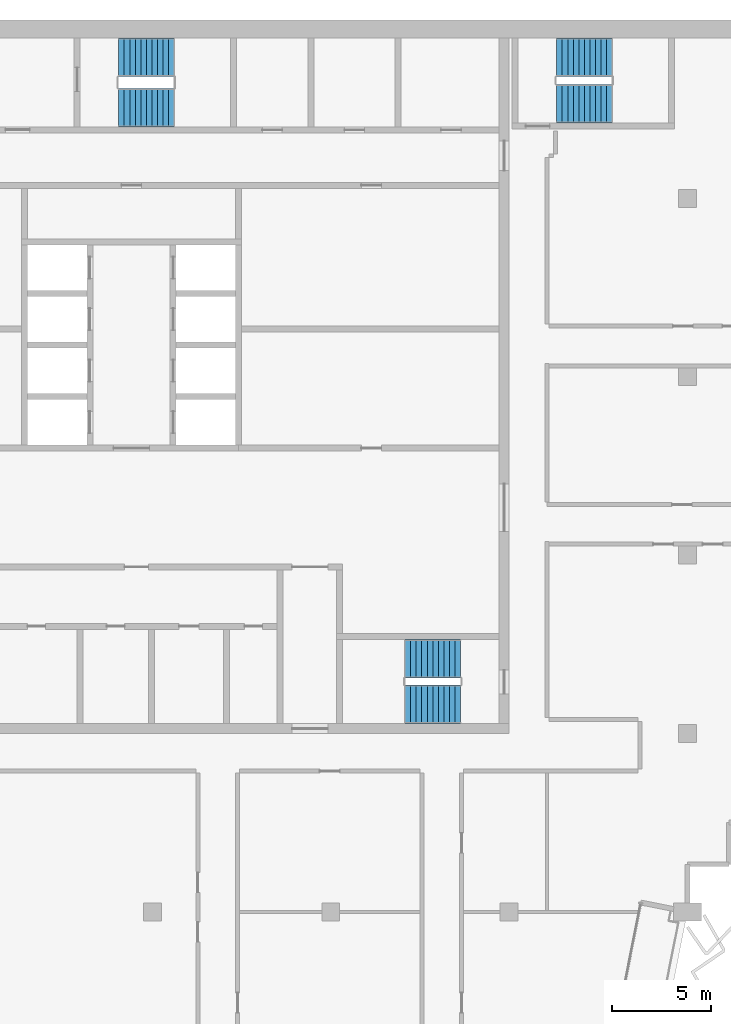
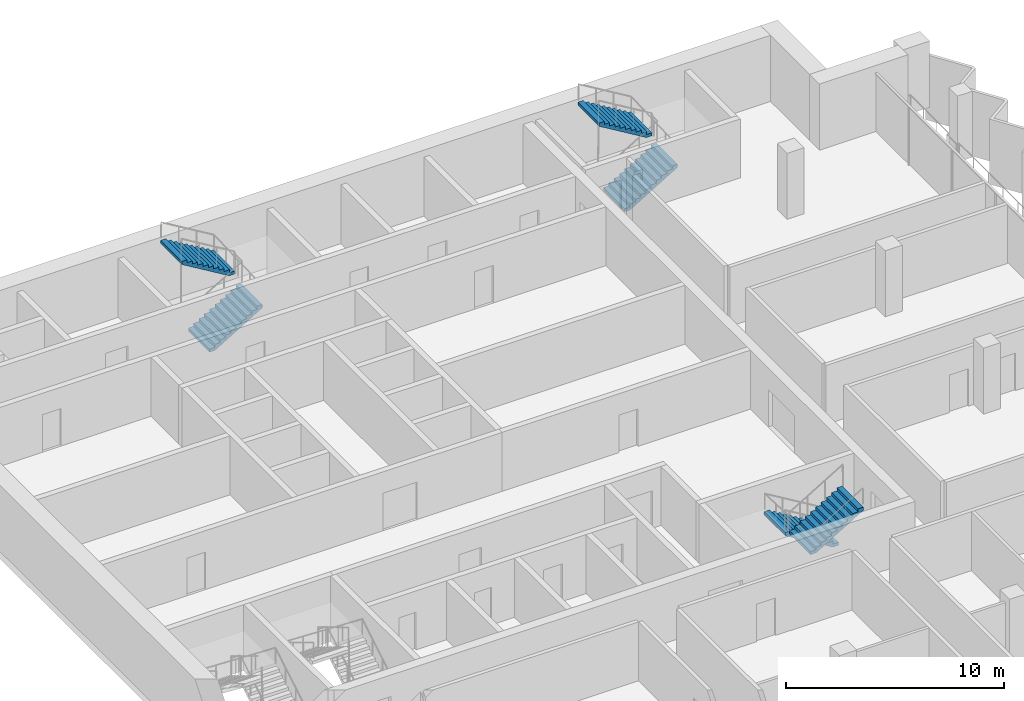
# One storey, part 10 of 13: 6 stair flights, 3 elements without a shape of their own.
"""IFC4 building model written with IfcOpenShell, lengths in metres."""

import ifcopenshell
import ifcopenshell.guid

model = None  # the IFC model being written
_history = None  # IfcOwnerHistory: only IFC2X3 demands one
_inside = {}  # id of a spatial element -> (the spatial element, [elements in it])
_under = {}  # id of a project, library or spatial element -> (it, [spatial elements below it])
_declared = {}  # id of a project -> (the project, [libraries it declares])
_typed = {}  # id of a type object -> (the type object, [elements of that type])
_made_of = {}  # id of a material, layer set ... -> (it, [elements and type objects made of it])


def new_model(schema):
    """Start an empty IFC model of exactly this schema.

    Asked for "IFC4X3", IfcOpenShell would pick the latest addendum, in which some entities
    have other attributes; the version numbers below select the first issue.
    IFC2X3 requires an IfcOwnerHistory on every rooted entity: one is made here for all.
    """
    global model, _history
    if schema == "IFC4X3":
        model = ifcopenshell.file(schema_version=(4, 3, 0, 0))
    else:
        model = ifcopenshell.file(schema=schema)
    _inside.clear()
    _under.clear()
    _declared.clear()
    _typed.clear()
    _made_of.clear()
    _history = None
    if model.schema == "IFC2X3":
        org = make("IfcOrganization", Name="unknown")
        user = make(
            "IfcPersonAndOrganization",
            ThePerson=make("IfcPerson", FamilyName="unknown"),
            TheOrganization=org,
        )
        app = make(
            "IfcApplication",
            ApplicationDeveloper=org,
            Version="unknown",
            ApplicationFullName="unknown",
            ApplicationIdentifier="unknown",
        )
        _history = make(
            "IfcOwnerHistory",
            OwningUser=user,
            OwningApplication=app,
            ChangeAction="ADDED",
            CreationDate=0,
        )
    return model


def make(cls, **values):
    """One entity of the class cls with the attributes given. An attribute that is None is left unset."""
    return model.create_entity(
        cls, **{name: value for name, value in values.items() if value is not None}
    )


def rooted(cls, **values):
    """An entity with a GlobalId (a new one), such as an element, a storey or a relation."""
    return make(cls, GlobalId=ifcopenshell.guid.new(), OwnerHistory=_history, **values)


def si_unit(unit_type, name, prefix=None):
    """IfcSIUnit, for example si_unit("LENGTHUNIT", "METRE", prefix="MILLI")."""
    return make("IfcSIUnit", UnitType=unit_type, Prefix=prefix, Name=name)


def assignment(units):
    """IfcUnitAssignment: the units of a project."""
    return None if units is None else make("IfcUnitAssignment", Units=units)


def point(xyz):
    """IfcCartesianPoint."""
    return None if xyz is None else make("IfcCartesianPoint", Coordinates=xyz)


def direction(xyz):
    """IfcDirection."""
    return None if xyz is None else make("IfcDirection", DirectionRatios=xyz)


def frame(location, z_axis=None, x_axis=None):
    """IfcAxis2Placement3D, a coordinate frame: its origin and axes. An axis left out is left unset."""
    return make(
        "IfcAxis2Placement3D",
        Location=point(location),
        Axis=direction(z_axis),
        RefDirection=direction(x_axis),
    )


def origin():
    """The frame at (0, 0, 0) with its axes left unset."""
    return frame((0.0, 0.0, 0.0))


def place(relative_to, where):
    """IfcLocalPlacement: puts the frame where relative to a parent placement (None: the world)."""
    return make(
        "IfcLocalPlacement", PlacementRelTo=relative_to, RelativePlacement=where
    )


def context(
    kind, dimensions, precision=None, world=None, true_north=None, identifier=None
):
    """IfcGeometricRepresentationContext, for example the 3D "Model" context."""
    return make(
        "IfcGeometricRepresentationContext",
        ContextIdentifier=identifier,
        ContextType=kind,
        CoordinateSpaceDimension=dimensions,
        Precision=precision,
        WorldCoordinateSystem=world,
        TrueNorth=true_north,
    )


def subcontext(parent, identifier, kind, view, scale=None):
    """IfcGeometricRepresentationSubContext, for example "Body" below "Model"."""
    return make(
        "IfcGeometricRepresentationSubContext",
        ContextIdentifier=identifier,
        ContextType=kind,
        ParentContext=parent,
        TargetScale=scale,
        TargetView=view,
    )


def project(units=None, contexts=None):
    """IfcProject with its units and contexts."""
    return rooted(
        "IfcProject",
        Name="project",
        RepresentationContexts=contexts,
        UnitsInContext=assignment(units),
    )


def spatial(cls, under=None, at=None, **own):
    """A site, building, storey or space (cls), placed at a placement, below another one or the project."""
    s = rooted(cls, ObjectPlacement=at, **own)
    if under is not None:
        _under.setdefault(under.id(), (under, []))[1].append(s)
    return s


def polyline(points):
    """IfcPolyline through the points."""
    return make("IfcPolyline", Points=[point(p) for p in points])


def outline(outer, holes=None, kind="AREA"):
    """IfcArbitraryClosedProfileDef: a profile drawn as a closed curve; with holes, ...WithVoids."""
    if holes is None:
        return make("IfcArbitraryClosedProfileDef", ProfileType=kind, OuterCurve=outer)
    return make(
        "IfcArbitraryProfileDefWithVoids",
        ProfileType=kind,
        OuterCurve=outer,
        InnerCurves=holes,
    )


def extrude(swept, where, along, depth):
    """IfcExtrudedAreaSolid: the profile swept, set in the frame where, extruded along a direction by depth."""
    return make(
        "IfcExtrudedAreaSolid",
        SweptArea=swept,
        Position=where,
        ExtrudedDirection=direction(along),
        Depth=depth,
    )


def shape(context_of_items, identifier, shape_type, items):
    """IfcShapeRepresentation: the items that make up one representation, for example the "Body"."""
    return make(
        "IfcShapeRepresentation",
        ContextOfItems=context_of_items,
        RepresentationIdentifier=identifier,
        RepresentationType=shape_type,
        Items=items,
    )


def material(Name=None, Category=None):
    """IfcMaterial."""
    return make("IfcMaterial", Name=Name, Category=Category)


def made_of(thing, what):
    """Note that an element or type object is made of a material, layer set ...; save() writes the relation."""
    if what is not None:
        _made_of.setdefault(what.id(), (what, []))[1].append(thing)
    return thing


def type_object(cls, material=None, **own):
    """A type object (cls), such as IfcWallType, which elements share."""
    return made_of(rooted(cls, **own), material)


def element(
    cls,
    number,
    at=None,
    inside=None,
    cuts=None,
    type_object=None,
    material=None,
    context=None,
    identifier="Body",
    shape_type=None,
    held_by="IfcProductDefinitionShape",
    body=None,
    shapes=None,
    **own,
):
    """One element of the class cls, such as IfcWall. Its Tag is "e" and its number.

    at: its placement. inside: the storey or other place that contains it. cuts: it is an
    opening in that element (IfcRelVoidsElement). A single representation is given by context,
    identifier, shape_type and body (its items); several are given by shapes. held_by: the class
    of the entity that holds the representations. save() writes the other relations.
    """
    e = rooted(cls, Tag="e%d" % number, ObjectPlacement=at, **own)
    if body is not None:
        shapes = [shape(context, identifier, shape_type, body)]
    if shapes is not None:
        e.Representation = make(held_by, Representations=shapes)
    if inside is not None:
        _inside.setdefault(inside.id(), (inside, []))[1].append(e)
    if cuts is not None:
        rooted(
            "IfcRelVoidsElement", RelatingBuildingElement=cuts, RelatedOpeningElement=e
        )
    if type_object is not None:
        _typed.setdefault(type_object.id(), (type_object, []))[1].append(e)
    return made_of(e, material)


def aggregate(whole, parts):
    """IfcRelAggregates: a whole, such as a stair, and the parts it consists of."""
    return rooted("IfcRelAggregates", RelatingObject=whole, RelatedObjects=parts)


def save(model, path):
    """Write the relations noted so far, then the file.

    IfcRelAggregates (storeys below a building ...), IfcRelContainedInSpatialStructure (elements
    in a storey), IfcRelDefinesByType, IfcRelAssociatesMaterial and IfcRelDeclares: one each for
    every whole, place, type object, material and project.
    """
    for whole, parts in _under.values():
        aggregate(whole, parts)
    for where, things in _inside.values():
        rooted(
            "IfcRelContainedInSpatialStructure",
            RelatedElements=things,
            RelatingStructure=where,
        )
    for kind, things in _typed.values():
        rooted("IfcRelDefinesByType", RelatedObjects=things, RelatingType=kind)
    for what, things in _made_of.values():
        rooted("IfcRelAssociatesMaterial", RelatedObjects=things, RelatingMaterial=what)
    for by, libraries in _declared.values():
        rooted("IfcRelDeclares", RelatingContext=by, RelatedDefinitions=libraries)
    model.write(path)


model = new_model("IFC4")

# Units and contexts
model_context = context("Model", 3, precision=1e-05, world=origin(), true_north=direction((0.0, 1.0)))
body_context = subcontext(model_context, "Body", "Model", "MODEL_VIEW")
ifc_project = project(units=[si_unit("LENGTHUNIT", "METRE"), si_unit("AREAUNIT", "SQUARE_METRE"), si_unit("VOLUMEUNIT", "CUBIC_METRE"), si_unit("PLANEANGLEUNIT", "RADIAN"), si_unit("MASSUNIT", "GRAM", prefix="KILO")], contexts=[model_context])

# Site, building, storey
site_placement = place(None, origin())
site = spatial("IfcSite", under=ifc_project, at=site_placement, CompositionType="ELEMENT")
building_placement = place(site_placement, origin())
building = spatial("IfcBuilding", under=site, at=building_placement, Name="Hunhe Ridgeline Campus", CompositionType="ELEMENT")
storey_placement = place(building_placement, frame((0.0, 0.0, 280.800048828125)))
storey = spatial("IfcBuildingStorey", under=building, at=storey_placement, Name="L72", CompositionType="ELEMENT", Elevation=280.800048828125)

# Stair, stair flights
ifc_material = material(Name="Concrete C40", Category="concrete")
stair_type = type_object("IfcStairType", Name="Reinforced concrete dog-leg stair 1950 Concrete C40", PredefinedType="HALF_TURN_STAIR", material=ifc_material)
stair_1_placement = place(storey_placement, origin())
stair_1 = element("IfcStair", 1, at=stair_1_placement, inside=storey, type_object=stair_type, Name="L72 S1", PredefinedType="HALF_TURN_STAIR")
stair_flight_type = type_object("IfcStairFlightType", Name="Reinforced concrete stair flight 1950 Concrete C40", PredefinedType="STRAIGHT", material=ifc_material)
stair_flight_1_placement = place(storey_placement, frame((16.300048828125, 94.574951171875, 0.0), z_axis=(0.0, 0.0, 1.0), x_axis=(1.0, 0.0, 0.0)))
stair_flight_1 = element("IfcStairFlight", 2, at=stair_flight_1_placement, type_object=stair_flight_type, Name="ST1 flight 1", NumberOfRisers=11, NumberOfTreads=10, PredefinedType="STRAIGHT", RiserHeight=0.168181818, TreadLength=0.28, context=body_context, shape_type="SweptSolid", body=[
    extrude(outline(polyline([(0.0, 0.0), (0.0, 0.168212890625), (0.280029296875, 0.168212890625), (0.280029296875, 0.33642578125), (0.56005859375, 0.33642578125), (0.56005859375, 0.504638671875), (0.840087890625, 0.504638671875), (0.840087890625, 0.672607421875), (1.1201171875, 0.672607421875), (1.1201171875, 0.8408203125), (1.39990234375, 0.8408203125), (1.39990234375, 1.009033203125), (1.679931640625, 1.009033203125), (1.679931640625, 1.17724609375), (1.9599609375, 1.17724609375), (1.9599609375, 1.345458984375), (2.239990234375, 1.345458984375), (2.239990234375, 1.513671875), (2.52001953125, 1.513671875), (2.52001953125, 1.681884765625), (2.800048828125, 1.681884765625), (2.800048828125, 1.85009765625), (2.800048828125, 1.5068359375), (0.291015625, 0.0), (0.0, 0.0)])), frame((0.0, 0.97509765625, 0.0), z_axis=(0.0, -1.0, 0.0), x_axis=(1.0, 0.0, 0.0)), (0.0, 0.0, 1.0), 1.949951171875),
    extrude(outline(polyline([(0.030029296875, 0.030029296875), (0.030029296875, 0.13818359375), (0.31005859375, 0.13818359375), (0.31005859375, 0.306396484375), (0.590087890625, 0.306396484375), (0.590087890625, 0.474609375), (0.8701171875, 0.474609375), (0.8701171875, 0.642578125), (1.14990234375, 0.642578125), (1.14990234375, 0.810791015625), (1.429931640625, 0.810791015625), (1.429931640625, 0.97900390625), (1.7099609375, 0.97900390625), (1.7099609375, 1.147216796875), (1.989990234375, 1.147216796875), (1.989990234375, 1.3154296875), (2.27001953125, 1.3154296875), (2.27001953125, 1.483642578125), (2.550048828125, 1.483642578125), (2.550048828125, 1.65185546875), (2.77001953125, 1.65185546875), (2.77001953125, 1.52392578125), (0.28271484375, 0.030029296875), (0.030029296875, 0.030029296875)])), frame((0.0, -0.070068359375, 0.0), z_axis=(0.0, -1.0, 0.0), x_axis=(1.0, 0.0, 0.0)), (0.0, 0.0, 1.0), 0.019775390625),
    extrude(outline(polyline([(0.030029296875, 0.030029296875), (0.030029296875, 0.13818359375), (0.31005859375, 0.13818359375), (0.31005859375, 0.306396484375), (0.590087890625, 0.306396484375), (0.590087890625, 0.474609375), (0.8701171875, 0.474609375), (0.8701171875, 0.642578125), (1.14990234375, 0.642578125), (1.14990234375, 0.810791015625), (1.429931640625, 0.810791015625), (1.429931640625, 0.97900390625), (1.7099609375, 0.97900390625), (1.7099609375, 1.147216796875), (1.989990234375, 1.147216796875), (1.989990234375, 1.3154296875), (2.27001953125, 1.3154296875), (2.27001953125, 1.483642578125), (2.550048828125, 1.483642578125), (2.550048828125, 1.65185546875), (2.77001953125, 1.65185546875), (2.77001953125, 1.52392578125), (0.28271484375, 0.030029296875), (0.030029296875, 0.030029296875)])), frame((0.0, 0.010009765625, 0.0), z_axis=(0.0, -1.0, 0.0), x_axis=(1.0, 0.0, 0.0)), (0.0, 0.0, 1.0), 0.019775390625),
    extrude(outline(polyline([(0.030029296875, 0.030029296875), (0.030029296875, 0.13818359375), (0.31005859375, 0.13818359375), (0.31005859375, 0.306396484375), (0.590087890625, 0.306396484375), (0.590087890625, 0.474609375), (0.8701171875, 0.474609375), (0.8701171875, 0.642578125), (1.14990234375, 0.642578125), (1.14990234375, 0.810791015625), (1.429931640625, 0.810791015625), (1.429931640625, 0.97900390625), (1.7099609375, 0.97900390625), (1.7099609375, 1.147216796875), (1.989990234375, 1.147216796875), (1.989990234375, 1.3154296875), (2.27001953125, 1.3154296875), (2.27001953125, 1.483642578125), (2.550048828125, 1.483642578125), (2.550048828125, 1.65185546875), (2.77001953125, 1.65185546875), (2.77001953125, 1.52392578125), (0.28271484375, 0.030029296875), (0.030029296875, 0.030029296875)])), frame((0.0, 0.090087890625, 0.0), z_axis=(0.0, -1.0, 0.0), x_axis=(1.0, 0.0, 0.0)), (0.0, 0.0, 1.0), 0.019775390625),
])
stair_flight_2_placement = place(storey_placement, frame((19.10009765625, 97.125, 1.849853515625), z_axis=(0.0, 0.0, 1.0), x_axis=(-1.0, 0.0, 0.0)))
stair_flight_2 = element("IfcStairFlight", 3, at=stair_flight_2_placement, type_object=stair_flight_type, Name="ST1 flight 2", NumberOfRisers=11, NumberOfTreads=10, PredefinedType="STRAIGHT", RiserHeight=0.168181818, TreadLength=0.28, context=body_context, shape_type="SweptSolid", body=[
    extrude(outline(polyline([(0.0, 0.0), (0.0, 0.168212890625), (0.280029296875, 0.168212890625), (0.280029296875, 0.33642578125), (0.56005859375, 0.33642578125), (0.56005859375, 0.504638671875), (0.840087890625, 0.504638671875), (0.840087890625, 0.672607421875), (1.1201171875, 0.672607421875), (1.1201171875, 0.8408203125), (1.39990234375, 0.8408203125), (1.39990234375, 1.009033203125), (1.679931640625, 1.009033203125), (1.679931640625, 1.17724609375), (1.9599609375, 1.17724609375), (1.9599609375, 1.345458984375), (2.239990234375, 1.345458984375), (2.239990234375, 1.513671875), (2.52001953125, 1.513671875), (2.52001953125, 1.681884765625), (2.800048828125, 1.681884765625), (2.800048828125, 1.85009765625), (2.800048828125, 1.5068359375), (0.291015625, 0.0), (0.0, 0.0)])), frame((0.0, 0.97509765625, 0.0), z_axis=(0.0, -1.0, 0.0), x_axis=(1.0, 0.0, 0.0)), (0.0, 0.0, 1.0), 1.949951171875),
    extrude(outline(polyline([(0.030029296875, 0.030029296875), (0.030029296875, 0.13818359375), (0.31005859375, 0.13818359375), (0.31005859375, 0.306396484375), (0.590087890625, 0.306396484375), (0.590087890625, 0.474609375), (0.8701171875, 0.474609375), (0.8701171875, 0.642578125), (1.14990234375, 0.642578125), (1.14990234375, 0.810791015625), (1.429931640625, 0.810791015625), (1.429931640625, 0.97900390625), (1.7099609375, 0.97900390625), (1.7099609375, 1.147216796875), (1.989990234375, 1.147216796875), (1.989990234375, 1.3154296875), (2.27001953125, 1.3154296875), (2.27001953125, 1.483642578125), (2.550048828125, 1.483642578125), (2.550048828125, 1.65185546875), (2.77001953125, 1.65185546875), (2.77001953125, 1.52392578125), (0.28271484375, 0.030029296875), (0.030029296875, 0.030029296875)])), frame((0.0, -0.070068359375, 0.0), z_axis=(0.0, -1.0, 0.0), x_axis=(1.0, 0.0, 0.0)), (0.0, 0.0, 1.0), 0.019775390625),
    extrude(outline(polyline([(0.030029296875, 0.030029296875), (0.030029296875, 0.13818359375), (0.31005859375, 0.13818359375), (0.31005859375, 0.306396484375), (0.590087890625, 0.306396484375), (0.590087890625, 0.474609375), (0.8701171875, 0.474609375), (0.8701171875, 0.642578125), (1.14990234375, 0.642578125), (1.14990234375, 0.810791015625), (1.429931640625, 0.810791015625), (1.429931640625, 0.97900390625), (1.7099609375, 0.97900390625), (1.7099609375, 1.147216796875), (1.989990234375, 1.147216796875), (1.989990234375, 1.3154296875), (2.27001953125, 1.3154296875), (2.27001953125, 1.483642578125), (2.550048828125, 1.483642578125), (2.550048828125, 1.65185546875), (2.77001953125, 1.65185546875), (2.77001953125, 1.52392578125), (0.28271484375, 0.030029296875), (0.030029296875, 0.030029296875)])), frame((0.0, 0.010009765625, 0.0), z_axis=(0.0, -1.0, 0.0), x_axis=(1.0, 0.0, 0.0)), (0.0, 0.0, 1.0), 0.019775390625),
    extrude(outline(polyline([(0.030029296875, 0.030029296875), (0.030029296875, 0.13818359375), (0.31005859375, 0.13818359375), (0.31005859375, 0.306396484375), (0.590087890625, 0.306396484375), (0.590087890625, 0.474609375), (0.8701171875, 0.474609375), (0.8701171875, 0.642578125), (1.14990234375, 0.642578125), (1.14990234375, 0.810791015625), (1.429931640625, 0.810791015625), (1.429931640625, 0.97900390625), (1.7099609375, 0.97900390625), (1.7099609375, 1.147216796875), (1.989990234375, 1.147216796875), (1.989990234375, 1.3154296875), (2.27001953125, 1.3154296875), (2.27001953125, 1.483642578125), (2.550048828125, 1.483642578125), (2.550048828125, 1.65185546875), (2.77001953125, 1.65185546875), (2.77001953125, 1.52392578125), (0.28271484375, 0.030029296875), (0.030029296875, 0.030029296875)])), frame((0.0, 0.090087890625, 0.0), z_axis=(0.0, -1.0, 0.0), x_axis=(1.0, 0.0, 0.0)), (0.0, 0.0, 1.0), 0.019775390625),
])
aggregate(stair_1, [stair_flight_1, stair_flight_2])

stair_2_placement = place(storey_placement, origin())
stair_2 = element("IfcStair", 4, at=stair_2_placement, inside=storey, type_object=stair_type, Name="L72 S2", PredefinedType="HALF_TURN_STAIR")
stair_flight_3_placement = place(storey_placement, frame((33.550048828125, 66.77490234375, 0.0), z_axis=(0.0, 0.0, 1.0), x_axis=(-1.0, 0.0, 0.0)))
stair_flight_3 = element("IfcStairFlight", 5, at=stair_flight_3_placement, type_object=stair_flight_type, Name="ST2 flight 1", NumberOfRisers=11, NumberOfTreads=10, PredefinedType="STRAIGHT", RiserHeight=0.168181818, TreadLength=0.28, context=body_context, shape_type="SweptSolid", body=[
    extrude(outline(polyline([(0.0, 0.0), (0.0, 0.168212890625), (0.280029296875, 0.168212890625), (0.280029296875, 0.33642578125), (0.56005859375, 0.33642578125), (0.56005859375, 0.504638671875), (0.840087890625, 0.504638671875), (0.840087890625, 0.672607421875), (1.1201171875, 0.672607421875), (1.1201171875, 0.8408203125), (1.39990234375, 0.8408203125), (1.39990234375, 1.009033203125), (1.679931640625, 1.009033203125), (1.679931640625, 1.17724609375), (1.9599609375, 1.17724609375), (1.9599609375, 1.345458984375), (2.239990234375, 1.345458984375), (2.239990234375, 1.513671875), (2.52001953125, 1.513671875), (2.52001953125, 1.681884765625), (2.800048828125, 1.681884765625), (2.800048828125, 1.85009765625), (2.800048828125, 1.5068359375), (0.291015625, 0.0), (0.0, 0.0)])), frame((0.0, 0.97509765625, 0.0), z_axis=(0.0, -1.0, 0.0), x_axis=(1.0, 0.0, 0.0)), (0.0, 0.0, 1.0), 1.949951171875),
    extrude(outline(polyline([(0.030029296875, 0.030029296875), (0.030029296875, 0.13818359375), (0.31005859375, 0.13818359375), (0.31005859375, 0.306396484375), (0.590087890625, 0.306396484375), (0.590087890625, 0.474609375), (0.8701171875, 0.474609375), (0.8701171875, 0.642578125), (1.14990234375, 0.642578125), (1.14990234375, 0.810791015625), (1.429931640625, 0.810791015625), (1.429931640625, 0.97900390625), (1.7099609375, 0.97900390625), (1.7099609375, 1.147216796875), (1.989990234375, 1.147216796875), (1.989990234375, 1.3154296875), (2.27001953125, 1.3154296875), (2.27001953125, 1.483642578125), (2.550048828125, 1.483642578125), (2.550048828125, 1.65185546875), (2.77001953125, 1.65185546875), (2.77001953125, 1.52392578125), (0.28271484375, 0.030029296875), (0.030029296875, 0.030029296875)])), frame((0.0, -0.070068359375, 0.0), z_axis=(0.0, -1.0, 0.0), x_axis=(1.0, 0.0, 0.0)), (0.0, 0.0, 1.0), 0.019775390625),
    extrude(outline(polyline([(0.030029296875, 0.030029296875), (0.030029296875, 0.13818359375), (0.31005859375, 0.13818359375), (0.31005859375, 0.306396484375), (0.590087890625, 0.306396484375), (0.590087890625, 0.474609375), (0.8701171875, 0.474609375), (0.8701171875, 0.642578125), (1.14990234375, 0.642578125), (1.14990234375, 0.810791015625), (1.429931640625, 0.810791015625), (1.429931640625, 0.97900390625), (1.7099609375, 0.97900390625), (1.7099609375, 1.147216796875), (1.989990234375, 1.147216796875), (1.989990234375, 1.3154296875), (2.27001953125, 1.3154296875), (2.27001953125, 1.483642578125), (2.550048828125, 1.483642578125), (2.550048828125, 1.65185546875), (2.77001953125, 1.65185546875), (2.77001953125, 1.52392578125), (0.28271484375, 0.030029296875), (0.030029296875, 0.030029296875)])), frame((0.0, 0.010009765625, 0.0), z_axis=(0.0, -1.0, 0.0), x_axis=(1.0, 0.0, 0.0)), (0.0, 0.0, 1.0), 0.019775390625),
    extrude(outline(polyline([(0.030029296875, 0.030029296875), (0.030029296875, 0.13818359375), (0.31005859375, 0.13818359375), (0.31005859375, 0.306396484375), (0.590087890625, 0.306396484375), (0.590087890625, 0.474609375), (0.8701171875, 0.474609375), (0.8701171875, 0.642578125), (1.14990234375, 0.642578125), (1.14990234375, 0.810791015625), (1.429931640625, 0.810791015625), (1.429931640625, 0.97900390625), (1.7099609375, 0.97900390625), (1.7099609375, 1.147216796875), (1.989990234375, 1.147216796875), (1.989990234375, 1.3154296875), (2.27001953125, 1.3154296875), (2.27001953125, 1.483642578125), (2.550048828125, 1.483642578125), (2.550048828125, 1.65185546875), (2.77001953125, 1.65185546875), (2.77001953125, 1.52392578125), (0.28271484375, 0.030029296875), (0.030029296875, 0.030029296875)])), frame((0.0, 0.090087890625, 0.0), z_axis=(0.0, -1.0, 0.0), x_axis=(1.0, 0.0, 0.0)), (0.0, 0.0, 1.0), 0.019775390625),
])
stair_flight_4_placement = place(storey_placement, frame((30.75, 64.47509765625, 1.849853515625), z_axis=(0.0, 0.0, 1.0), x_axis=(1.0, 0.0, 0.0)))
stair_flight_4 = element("IfcStairFlight", 6, at=stair_flight_4_placement, type_object=stair_flight_type, Name="ST2 flight 2", NumberOfRisers=11, NumberOfTreads=10, PredefinedType="STRAIGHT", RiserHeight=0.168181818, TreadLength=0.28, context=body_context, shape_type="SweptSolid", body=[
    extrude(outline(polyline([(0.0, 0.0), (0.0, 0.168212890625), (0.280029296875, 0.168212890625), (0.280029296875, 0.33642578125), (0.56005859375, 0.33642578125), (0.56005859375, 0.504638671875), (0.840087890625, 0.504638671875), (0.840087890625, 0.672607421875), (1.1201171875, 0.672607421875), (1.1201171875, 0.8408203125), (1.39990234375, 0.8408203125), (1.39990234375, 1.009033203125), (1.679931640625, 1.009033203125), (1.679931640625, 1.17724609375), (1.9599609375, 1.17724609375), (1.9599609375, 1.345458984375), (2.239990234375, 1.345458984375), (2.239990234375, 1.513671875), (2.52001953125, 1.513671875), (2.52001953125, 1.681884765625), (2.800048828125, 1.681884765625), (2.800048828125, 1.85009765625), (2.800048828125, 1.5068359375), (0.291015625, 0.0), (0.0, 0.0)])), frame((0.0, 0.97509765625, 0.0), z_axis=(0.0, -1.0, 0.0), x_axis=(1.0, 0.0, 0.0)), (0.0, 0.0, 1.0), 1.949951171875),
    extrude(outline(polyline([(0.030029296875, 0.030029296875), (0.030029296875, 0.13818359375), (0.31005859375, 0.13818359375), (0.31005859375, 0.306396484375), (0.590087890625, 0.306396484375), (0.590087890625, 0.474609375), (0.8701171875, 0.474609375), (0.8701171875, 0.642578125), (1.14990234375, 0.642578125), (1.14990234375, 0.810791015625), (1.429931640625, 0.810791015625), (1.429931640625, 0.97900390625), (1.7099609375, 0.97900390625), (1.7099609375, 1.147216796875), (1.989990234375, 1.147216796875), (1.989990234375, 1.3154296875), (2.27001953125, 1.3154296875), (2.27001953125, 1.483642578125), (2.550048828125, 1.483642578125), (2.550048828125, 1.65185546875), (2.77001953125, 1.65185546875), (2.77001953125, 1.52392578125), (0.28271484375, 0.030029296875), (0.030029296875, 0.030029296875)])), frame((0.0, -0.070068359375, 0.0), z_axis=(0.0, -1.0, 0.0), x_axis=(1.0, 0.0, 0.0)), (0.0, 0.0, 1.0), 0.019775390625),
    extrude(outline(polyline([(0.030029296875, 0.030029296875), (0.030029296875, 0.13818359375), (0.31005859375, 0.13818359375), (0.31005859375, 0.306396484375), (0.590087890625, 0.306396484375), (0.590087890625, 0.474609375), (0.8701171875, 0.474609375), (0.8701171875, 0.642578125), (1.14990234375, 0.642578125), (1.14990234375, 0.810791015625), (1.429931640625, 0.810791015625), (1.429931640625, 0.97900390625), (1.7099609375, 0.97900390625), (1.7099609375, 1.147216796875), (1.989990234375, 1.147216796875), (1.989990234375, 1.3154296875), (2.27001953125, 1.3154296875), (2.27001953125, 1.483642578125), (2.550048828125, 1.483642578125), (2.550048828125, 1.65185546875), (2.77001953125, 1.65185546875), (2.77001953125, 1.52392578125), (0.28271484375, 0.030029296875), (0.030029296875, 0.030029296875)])), frame((0.0, 0.010009765625, 0.0), z_axis=(0.0, -1.0, 0.0), x_axis=(1.0, 0.0, 0.0)), (0.0, 0.0, 1.0), 0.019775390625),
    extrude(outline(polyline([(0.030029296875, 0.030029296875), (0.030029296875, 0.13818359375), (0.31005859375, 0.13818359375), (0.31005859375, 0.306396484375), (0.590087890625, 0.306396484375), (0.590087890625, 0.474609375), (0.8701171875, 0.474609375), (0.8701171875, 0.642578125), (1.14990234375, 0.642578125), (1.14990234375, 0.810791015625), (1.429931640625, 0.810791015625), (1.429931640625, 0.97900390625), (1.7099609375, 0.97900390625), (1.7099609375, 1.147216796875), (1.989990234375, 1.147216796875), (1.989990234375, 1.3154296875), (2.27001953125, 1.3154296875), (2.27001953125, 1.483642578125), (2.550048828125, 1.483642578125), (2.550048828125, 1.65185546875), (2.77001953125, 1.65185546875), (2.77001953125, 1.52392578125), (0.28271484375, 0.030029296875), (0.030029296875, 0.030029296875)])), frame((0.0, 0.090087890625, 0.0), z_axis=(0.0, -1.0, 0.0), x_axis=(1.0, 0.0, 0.0)), (0.0, 0.0, 1.0), 0.019775390625),
])
aggregate(stair_2, [stair_flight_3, stair_flight_4])

stair_3_placement = place(storey_placement, origin())
stair_3 = element("IfcStair", 7, at=stair_3_placement, inside=storey, type_object=stair_type, Name="L72 E1", PredefinedType="HALF_TURN_STAIR")
stair_flight_5_placement = place(storey_placement, frame((38.39990234375, 94.77490234375, 0.0), z_axis=(0.0, 0.0, 1.0), x_axis=(1.0, 0.0, 0.0)))
stair_flight_5 = element("IfcStairFlight", 8, at=stair_flight_5_placement, type_object=stair_flight_type, Name="ST5 flight 1", NumberOfRisers=11, NumberOfTreads=10, PredefinedType="STRAIGHT", RiserHeight=0.168181818, TreadLength=0.28, context=body_context, shape_type="SweptSolid", body=[
    extrude(outline(polyline([(0.0, 0.0), (0.0, 0.168212890625), (0.280029296875, 0.168212890625), (0.280029296875, 0.33642578125), (0.56005859375, 0.33642578125), (0.56005859375, 0.504638671875), (0.840087890625, 0.504638671875), (0.840087890625, 0.672607421875), (1.1201171875, 0.672607421875), (1.1201171875, 0.8408203125), (1.39990234375, 0.8408203125), (1.39990234375, 1.009033203125), (1.679931640625, 1.009033203125), (1.679931640625, 1.17724609375), (1.9599609375, 1.17724609375), (1.9599609375, 1.345458984375), (2.239990234375, 1.345458984375), (2.239990234375, 1.513671875), (2.52001953125, 1.513671875), (2.52001953125, 1.681884765625), (2.800048828125, 1.681884765625), (2.800048828125, 1.85009765625), (2.800048828125, 1.5068359375), (0.291015625, 0.0), (0.0, 0.0)])), frame((0.0, 0.97509765625, 0.0), z_axis=(0.0, -1.0, 0.0), x_axis=(1.0, 0.0, 0.0)), (0.0, 0.0, 1.0), 1.949951171875),
    extrude(outline(polyline([(0.030029296875, 0.030029296875), (0.030029296875, 0.13818359375), (0.31005859375, 0.13818359375), (0.31005859375, 0.306396484375), (0.590087890625, 0.306396484375), (0.590087890625, 0.474609375), (0.8701171875, 0.474609375), (0.8701171875, 0.642578125), (1.14990234375, 0.642578125), (1.14990234375, 0.810791015625), (1.429931640625, 0.810791015625), (1.429931640625, 0.97900390625), (1.7099609375, 0.97900390625), (1.7099609375, 1.147216796875), (1.989990234375, 1.147216796875), (1.989990234375, 1.3154296875), (2.27001953125, 1.3154296875), (2.27001953125, 1.483642578125), (2.550048828125, 1.483642578125), (2.550048828125, 1.65185546875), (2.77001953125, 1.65185546875), (2.77001953125, 1.52392578125), (0.28271484375, 0.030029296875), (0.030029296875, 0.030029296875)])), frame((0.0, -0.070068359375, 0.0), z_axis=(0.0, -1.0, 0.0), x_axis=(1.0, 0.0, 0.0)), (0.0, 0.0, 1.0), 0.019775390625),
    extrude(outline(polyline([(0.030029296875, 0.030029296875), (0.030029296875, 0.13818359375), (0.31005859375, 0.13818359375), (0.31005859375, 0.306396484375), (0.590087890625, 0.306396484375), (0.590087890625, 0.474609375), (0.8701171875, 0.474609375), (0.8701171875, 0.642578125), (1.14990234375, 0.642578125), (1.14990234375, 0.810791015625), (1.429931640625, 0.810791015625), (1.429931640625, 0.97900390625), (1.7099609375, 0.97900390625), (1.7099609375, 1.147216796875), (1.989990234375, 1.147216796875), (1.989990234375, 1.3154296875), (2.27001953125, 1.3154296875), (2.27001953125, 1.483642578125), (2.550048828125, 1.483642578125), (2.550048828125, 1.65185546875), (2.77001953125, 1.65185546875), (2.77001953125, 1.52392578125), (0.28271484375, 0.030029296875), (0.030029296875, 0.030029296875)])), frame((0.0, 0.010009765625, 0.0), z_axis=(0.0, -1.0, 0.0), x_axis=(1.0, 0.0, 0.0)), (0.0, 0.0, 1.0), 0.019775390625),
    extrude(outline(polyline([(0.030029296875, 0.030029296875), (0.030029296875, 0.13818359375), (0.31005859375, 0.13818359375), (0.31005859375, 0.306396484375), (0.590087890625, 0.306396484375), (0.590087890625, 0.474609375), (0.8701171875, 0.474609375), (0.8701171875, 0.642578125), (1.14990234375, 0.642578125), (1.14990234375, 0.810791015625), (1.429931640625, 0.810791015625), (1.429931640625, 0.97900390625), (1.7099609375, 0.97900390625), (1.7099609375, 1.147216796875), (1.989990234375, 1.147216796875), (1.989990234375, 1.3154296875), (2.27001953125, 1.3154296875), (2.27001953125, 1.483642578125), (2.550048828125, 1.483642578125), (2.550048828125, 1.65185546875), (2.77001953125, 1.65185546875), (2.77001953125, 1.52392578125), (0.28271484375, 0.030029296875), (0.030029296875, 0.030029296875)])), frame((0.0, 0.090087890625, 0.0), z_axis=(0.0, -1.0, 0.0), x_axis=(1.0, 0.0, 0.0)), (0.0, 0.0, 1.0), 0.019775390625),
])
stair_flight_6_placement = place(storey_placement, frame((41.199951171875, 97.125, 1.849853515625), z_axis=(0.0, 0.0, 1.0), x_axis=(-1.0, 0.0, 0.0)))
stair_flight_6 = element("IfcStairFlight", 9, at=stair_flight_6_placement, type_object=stair_flight_type, Name="ST5 flight 2", NumberOfRisers=11, NumberOfTreads=10, PredefinedType="STRAIGHT", RiserHeight=0.168181818, TreadLength=0.28, context=body_context, shape_type="SweptSolid", body=[
    extrude(outline(polyline([(0.0, 0.0), (0.0, 0.168212890625), (0.280029296875, 0.168212890625), (0.280029296875, 0.33642578125), (0.56005859375, 0.33642578125), (0.56005859375, 0.504638671875), (0.840087890625, 0.504638671875), (0.840087890625, 0.672607421875), (1.1201171875, 0.672607421875), (1.1201171875, 0.8408203125), (1.39990234375, 0.8408203125), (1.39990234375, 1.009033203125), (1.679931640625, 1.009033203125), (1.679931640625, 1.17724609375), (1.9599609375, 1.17724609375), (1.9599609375, 1.345458984375), (2.239990234375, 1.345458984375), (2.239990234375, 1.513671875), (2.52001953125, 1.513671875), (2.52001953125, 1.681884765625), (2.800048828125, 1.681884765625), (2.800048828125, 1.85009765625), (2.800048828125, 1.5068359375), (0.291015625, 0.0), (0.0, 0.0)])), frame((0.0, 0.97509765625, 0.0), z_axis=(0.0, -1.0, 0.0), x_axis=(1.0, 0.0, 0.0)), (0.0, 0.0, 1.0), 1.949951171875),
    extrude(outline(polyline([(0.030029296875, 0.030029296875), (0.030029296875, 0.13818359375), (0.31005859375, 0.13818359375), (0.31005859375, 0.306396484375), (0.590087890625, 0.306396484375), (0.590087890625, 0.474609375), (0.8701171875, 0.474609375), (0.8701171875, 0.642578125), (1.14990234375, 0.642578125), (1.14990234375, 0.810791015625), (1.429931640625, 0.810791015625), (1.429931640625, 0.97900390625), (1.7099609375, 0.97900390625), (1.7099609375, 1.147216796875), (1.989990234375, 1.147216796875), (1.989990234375, 1.3154296875), (2.27001953125, 1.3154296875), (2.27001953125, 1.483642578125), (2.550048828125, 1.483642578125), (2.550048828125, 1.65185546875), (2.77001953125, 1.65185546875), (2.77001953125, 1.52392578125), (0.28271484375, 0.030029296875), (0.030029296875, 0.030029296875)])), frame((0.0, -0.070068359375, 0.0), z_axis=(0.0, -1.0, 0.0), x_axis=(1.0, 0.0, 0.0)), (0.0, 0.0, 1.0), 0.019775390625),
    extrude(outline(polyline([(0.030029296875, 0.030029296875), (0.030029296875, 0.13818359375), (0.31005859375, 0.13818359375), (0.31005859375, 0.306396484375), (0.590087890625, 0.306396484375), (0.590087890625, 0.474609375), (0.8701171875, 0.474609375), (0.8701171875, 0.642578125), (1.14990234375, 0.642578125), (1.14990234375, 0.810791015625), (1.429931640625, 0.810791015625), (1.429931640625, 0.97900390625), (1.7099609375, 0.97900390625), (1.7099609375, 1.147216796875), (1.989990234375, 1.147216796875), (1.989990234375, 1.3154296875), (2.27001953125, 1.3154296875), (2.27001953125, 1.483642578125), (2.550048828125, 1.483642578125), (2.550048828125, 1.65185546875), (2.77001953125, 1.65185546875), (2.77001953125, 1.52392578125), (0.28271484375, 0.030029296875), (0.030029296875, 0.030029296875)])), frame((0.0, 0.010009765625, 0.0), z_axis=(0.0, -1.0, 0.0), x_axis=(1.0, 0.0, 0.0)), (0.0, 0.0, 1.0), 0.019775390625),
    extrude(outline(polyline([(0.030029296875, 0.030029296875), (0.030029296875, 0.13818359375), (0.31005859375, 0.13818359375), (0.31005859375, 0.306396484375), (0.590087890625, 0.306396484375), (0.590087890625, 0.474609375), (0.8701171875, 0.474609375), (0.8701171875, 0.642578125), (1.14990234375, 0.642578125), (1.14990234375, 0.810791015625), (1.429931640625, 0.810791015625), (1.429931640625, 0.97900390625), (1.7099609375, 0.97900390625), (1.7099609375, 1.147216796875), (1.989990234375, 1.147216796875), (1.989990234375, 1.3154296875), (2.27001953125, 1.3154296875), (2.27001953125, 1.483642578125), (2.550048828125, 1.483642578125), (2.550048828125, 1.65185546875), (2.77001953125, 1.65185546875), (2.77001953125, 1.52392578125), (0.28271484375, 0.030029296875), (0.030029296875, 0.030029296875)])), frame((0.0, 0.090087890625, 0.0), z_axis=(0.0, -1.0, 0.0), x_axis=(1.0, 0.0, 0.0)), (0.0, 0.0, 1.0), 0.019775390625),
])
aggregate(stair_3, [stair_flight_5, stair_flight_6])

save(model, "model.ifc")
